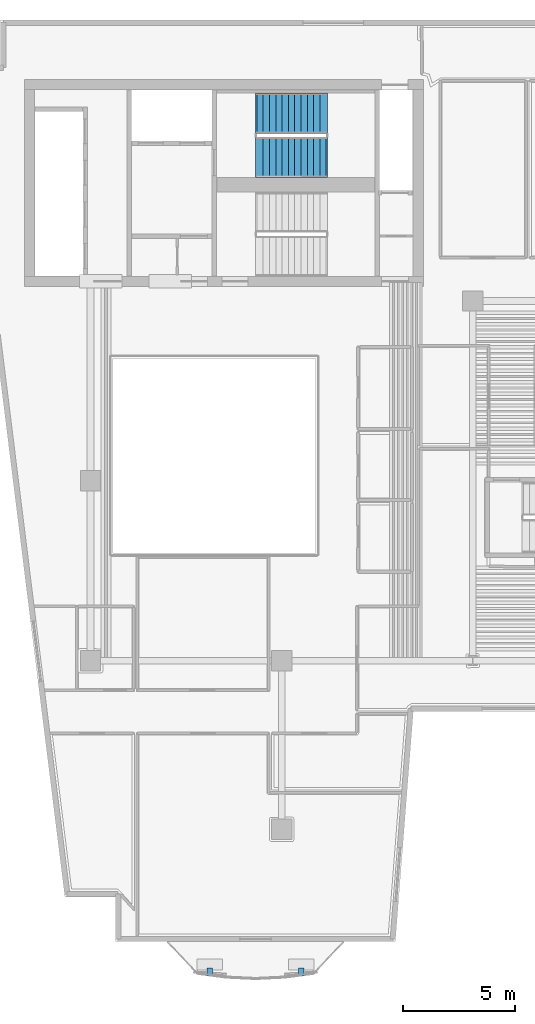
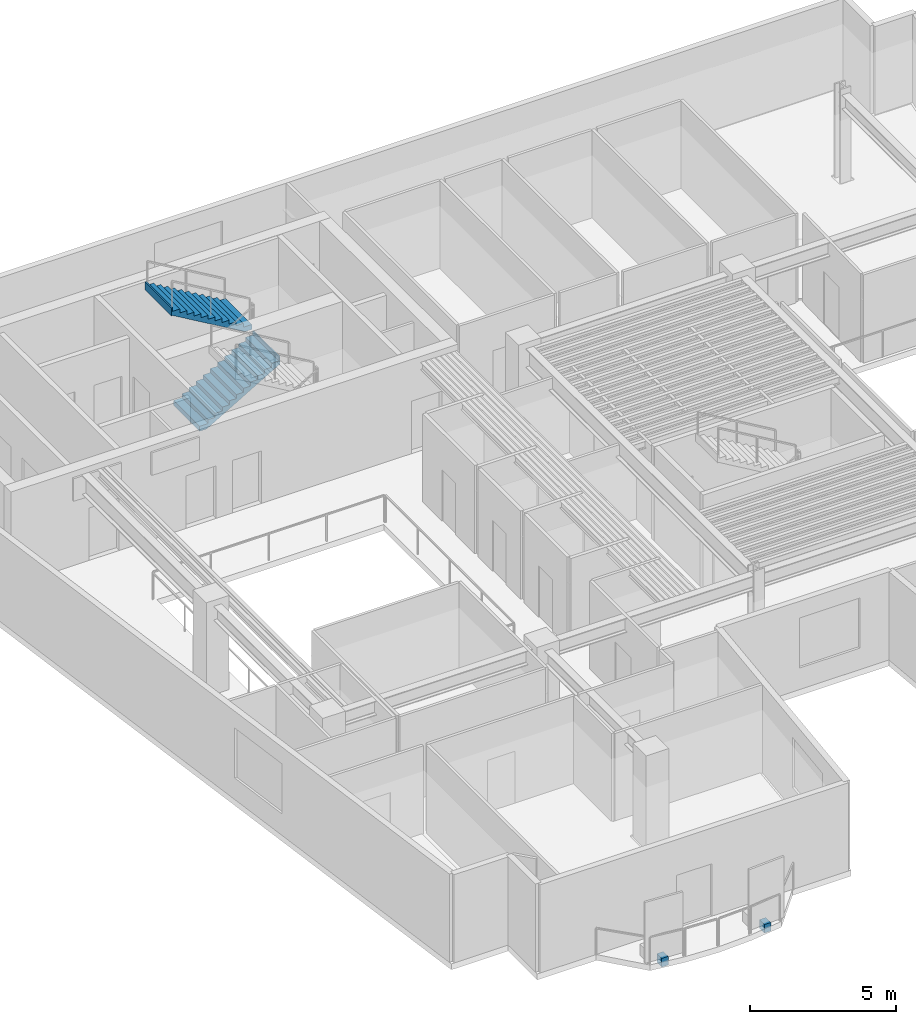
# One storey, part 7 of 10: 2 discrete accessories, 2 stair flights, 1 element without a shape of its own.
"""IFC4 building model written with IfcOpenShell, lengths in metres."""

from ifc_helpers import new_model, si_unit, direction, frame, origin, origin_2d, place, context, subcontext, project, spatial, polyline, rectangle, outline, extrude, material, type_object, element, aggregate, save


model = new_model("IFC4")

# Units and contexts
model_context = context("Model", 3, precision=1e-05, world=origin(), true_north=direction((0.0, 1.0)))
body_context = subcontext(model_context, "Body", "Model", "MODEL_VIEW")
ifc_project = project(units=[si_unit("LENGTHUNIT", "METRE"), si_unit("AREAUNIT", "SQUARE_METRE"), si_unit("VOLUMEUNIT", "CUBIC_METRE"), si_unit("PLANEANGLEUNIT", "RADIAN"), si_unit("MASSUNIT", "GRAM", prefix="KILO")], contexts=[model_context])

# Site, building, storey
site_placement = place(None, origin())
site = spatial("IfcSite", under=ifc_project, at=site_placement, CompositionType="ELEMENT")
building_placement = place(site_placement, origin())
building = spatial("IfcBuilding", under=site, at=building_placement, Name="Caeloran Harvest Quay", CompositionType="ELEMENT")
storey_placement = place(building_placement, frame((0.0, 0.0, 219.300048828125)))
storey = spatial("IfcBuildingStorey", under=building, at=storey_placement, Name="L52", CompositionType="ELEMENT", Elevation=219.300048828125)

# Stair, stair flights
ifc_material_1 = material(Name="Concrete C50/60", Category="concrete")
stair_type = type_object("IfcStairType", Name="STAIR-STC-180", PredefinedType="HALF_TURN_STAIR", material=ifc_material_1)
stair_placement = place(storey_placement, origin())
stair = element("IfcStair", 1, at=stair_placement, inside=storey, type_object=stair_type, Name="L52 Core Pressurized Exit Stair ST-C1", PredefinedType="HALF_TURN_STAIR")
stair_flight_type = type_object("IfcStairFlightType", Name="FLIGHT-STC-180", PredefinedType="STRAIGHT", material=ifc_material_1)
stair_flight_1_placement = place(storey_placement, frame((15.89990234375, 37.39990234375, 0.0), z_axis=(0.0, 0.0, 1.0), x_axis=(1.0, 0.0, 0.0)))
stair_flight_1 = element("IfcStairFlight", 2, at=stair_flight_1_placement, type_object=stair_flight_type, Name="ST-C1 flight 1", NumberOfRisers=12, NumberOfTreads=11, PredefinedType="STRAIGHT", RiserHeight=0.164583333, TreadLength=0.28, context=body_context, shape_type="SweptSolid", body=[
    extrude(outline(polyline([(-0.054931640625, -0.044921875), (-0.054931640625, -0.031982421875), (-0.054931640625, -0.018798828125), (-0.054931640625, -0.005615234375), (-0.054931640625, 0.00732421875), (-0.054931640625, 0.0205078125), (-0.054931640625, 0.03369140625), (-0.054931640625, 0.046630859375), (-0.054931640625, 0.059814453125), (-0.054931640625, 0.072998046875), (-0.054931640625, 0.0859375), (-0.054931640625, 0.09912109375), (-0.054931640625, 0.1123046875), (-0.054931640625, 0.125244140625), (-0.054931640625, 0.138427734375), (-0.054931640625, 0.1513671875), (-0.054931640625, 0.16455078125), (0.280029296875, 0.16455078125), (0.280029296875, 0.3291015625), (0.56005859375, 0.3291015625), (0.56005859375, 0.49365234375), (0.840087890625, 0.49365234375), (0.840087890625, 0.658447265625), (1.1201171875, 0.658447265625), (1.1201171875, 0.822998046875), (1.39990234375, 0.822998046875), (1.39990234375, 0.987548828125), (1.679931640625, 0.987548828125), (1.679931640625, 1.152099609375), (1.9599609375, 1.152099609375), (1.9599609375, 1.316650390625), (2.239990234375, 1.316650390625), (2.239990234375, 1.481201171875), (2.52001953125, 1.481201171875), (2.52001953125, 1.645751953125), (2.800048828125, 1.645751953125), (2.800048828125, 1.810302734375), (3.080078125, 1.810302734375), (3.080078125, 1.97509765625), (3.135009765625, 1.97509765625), (3.135009765625, 1.953857421875), (3.135009765625, 1.9326171875), (3.135009765625, 1.91162109375), (3.135009765625, 1.890380859375), (3.135009765625, 1.869140625), (3.135009765625, 1.84814453125), (3.135009765625, 1.826904296875), (3.135009765625, 1.8056640625), (3.135009765625, 1.78466796875), (3.135009765625, 1.763427734375), (3.135009765625, 1.7421875), (3.135009765625, 1.72119140625), (3.135009765625, 1.699951171875), (3.135009765625, 1.678955078125), (3.135009765625, 1.65771484375), (3.135009765625, 1.636474609375), (3.080078125, 1.636474609375), (0.21923828125, -0.044921875), (-0.054931640625, -0.044921875)])), frame((0.0, 0.89990234375, 0.0), z_axis=(0.0, -1.0, 0.0), x_axis=(1.0, 0.0, 0.0)), (0.0, 0.0, 1.0), 1.800048828125),
])
stair_flight_2_placement = place(storey_placement, frame((18.97998046875, 39.35009765625, 1.974853515625), z_axis=(0.0, 0.0, 1.0), x_axis=(-1.0, 0.0, 0.0)))
stair_flight_2 = element("IfcStairFlight", 3, at=stair_flight_2_placement, type_object=stair_flight_type, Name="ST-C1 flight 2", NumberOfRisers=12, NumberOfTreads=11, PredefinedType="STRAIGHT", RiserHeight=0.164583333, TreadLength=0.28, context=body_context, shape_type="SweptSolid", body=[
    extrude(outline(polyline([(-0.054931640625, -0.044921875), (-0.054931640625, -0.031982421875), (-0.054931640625, -0.018798828125), (-0.054931640625, -0.005615234375), (-0.054931640625, 0.00732421875), (-0.054931640625, 0.0205078125), (-0.054931640625, 0.03369140625), (-0.054931640625, 0.046630859375), (-0.054931640625, 0.059814453125), (-0.054931640625, 0.072998046875), (-0.054931640625, 0.0859375), (-0.054931640625, 0.09912109375), (-0.054931640625, 0.1123046875), (-0.054931640625, 0.125244140625), (-0.054931640625, 0.138427734375), (-0.054931640625, 0.1513671875), (-0.054931640625, 0.16455078125), (0.280029296875, 0.16455078125), (0.280029296875, 0.3291015625), (0.56005859375, 0.3291015625), (0.56005859375, 0.49365234375), (0.840087890625, 0.49365234375), (0.840087890625, 0.658447265625), (1.1201171875, 0.658447265625), (1.1201171875, 0.822998046875), (1.39990234375, 0.822998046875), (1.39990234375, 0.987548828125), (1.679931640625, 0.987548828125), (1.679931640625, 1.152099609375), (1.9599609375, 1.152099609375), (1.9599609375, 1.316650390625), (2.239990234375, 1.316650390625), (2.239990234375, 1.481201171875), (2.52001953125, 1.481201171875), (2.52001953125, 1.645751953125), (2.800048828125, 1.645751953125), (2.800048828125, 1.810302734375), (3.080078125, 1.810302734375), (3.080078125, 1.97509765625), (3.135009765625, 1.97509765625), (3.135009765625, 1.953857421875), (3.135009765625, 1.9326171875), (3.135009765625, 1.91162109375), (3.135009765625, 1.890380859375), (3.135009765625, 1.869140625), (3.135009765625, 1.84814453125), (3.135009765625, 1.826904296875), (3.135009765625, 1.8056640625), (3.135009765625, 1.78466796875), (3.135009765625, 1.763427734375), (3.135009765625, 1.7421875), (3.135009765625, 1.72119140625), (3.135009765625, 1.699951171875), (3.135009765625, 1.678955078125), (3.135009765625, 1.65771484375), (3.135009765625, 1.636474609375), (3.080078125, 1.636474609375), (0.21923828125, -0.044921875), (-0.054931640625, -0.044921875)])), frame((0.0, 0.89990234375, 0.0), z_axis=(0.0, -1.0, 0.0), x_axis=(1.0, 0.0, 0.0)), (0.0, 0.0, 1.0), 1.800048828125),
])
aggregate(stair, [stair_flight_1, stair_flight_2])

# Discrete accessories
ifc_material_2 = material(Name="Stainless Steel Grade 316L", Category="steel")
discrete_accessory_type = type_object("IfcDiscreteAccessoryType", Name="BRACKET-SCREEN-SS", PredefinedType="BRACKET", material=ifc_material_2)
for number, where, z_axis, x_axis, name in (
    (4, (17.868408203125, 1.161376953125, -0.22021484375), (0.0, 0.0, 1.0), (1.0, 0.0, 0.0), "L52 Balcony Screen Support Bracket 1"),
    (5, (13.800537109375, 1.161376953125, -0.22021484375), (0.0, 0.0, 1.0), (1.0, 0.0, 0.0), "L52 Balcony Screen Support Bracket 2"),
):
    element("IfcDiscreteAccessory", number, at=place(storey_placement, frame(where, z_axis=z_axis, x_axis=x_axis)), inside=storey, type_object=discrete_accessory_type, Name=name, PredefinedType="BRACKET", context=body_context, shape_type="SweptSolid", body=[
        extrude(rectangle(XDim=0.260009765625, YDim=0.340087890625, at=origin_2d()), origin(), (0.0, 0.0, 1.0), 0.360107421875),
    ])

save(model, "model.ifc")
